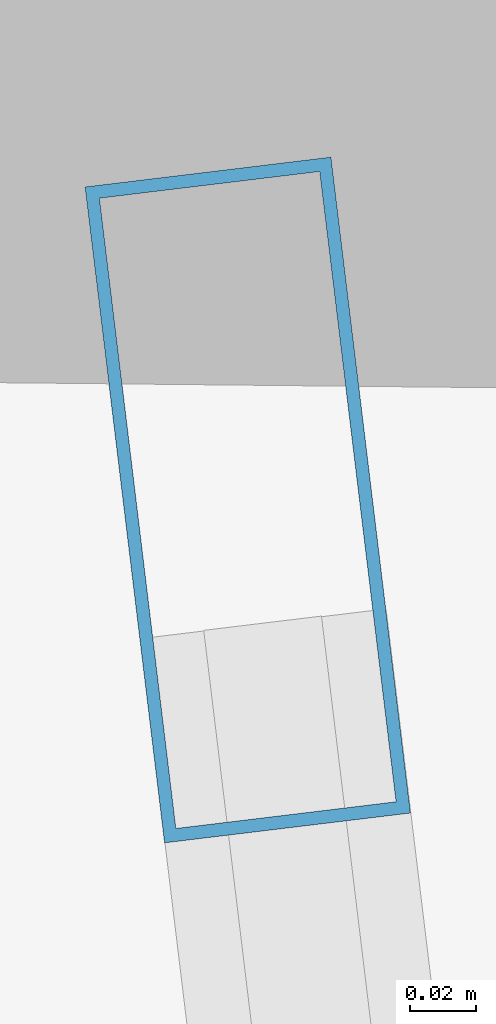
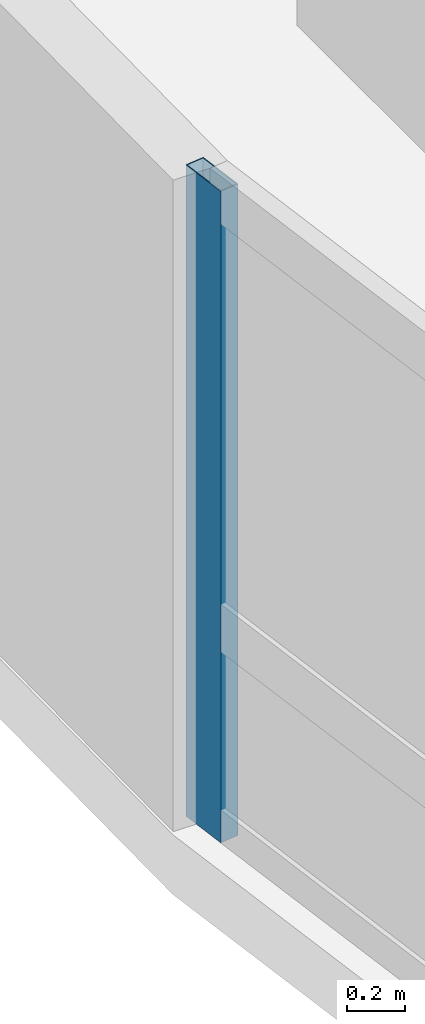
# One storey, part 8 of 24: 1 member, 1 element without a shape of its own.
"""IFC4 building model written with IfcOpenShell, lengths in metres."""

import ifcopenshell
import ifcopenshell.guid

model = None  # the IFC model being written
_history = None  # IfcOwnerHistory: only IFC2X3 demands one
_inside = {}  # id of a spatial element -> (the spatial element, [elements in it])
_under = {}  # id of a project, library or spatial element -> (it, [spatial elements below it])
_declared = {}  # id of a project -> (the project, [libraries it declares])
_typed = {}  # id of a type object -> (the type object, [elements of that type])
_made_of = {}  # id of a material, layer set ... -> (it, [elements and type objects made of it])


def new_model(schema):
    """Start an empty IFC model of exactly this schema.

    Asked for "IFC4X3", IfcOpenShell would pick the latest addendum, in which some entities
    have other attributes; the version numbers below select the first issue.
    IFC2X3 requires an IfcOwnerHistory on every rooted entity: one is made here for all.
    """
    global model, _history
    if schema == "IFC4X3":
        model = ifcopenshell.file(schema_version=(4, 3, 0, 0))
    else:
        model = ifcopenshell.file(schema=schema)
    _inside.clear()
    _under.clear()
    _declared.clear()
    _typed.clear()
    _made_of.clear()
    _history = None
    if model.schema == "IFC2X3":
        org = make("IfcOrganization", Name="unknown")
        user = make(
            "IfcPersonAndOrganization",
            ThePerson=make("IfcPerson", FamilyName="unknown"),
            TheOrganization=org,
        )
        app = make(
            "IfcApplication",
            ApplicationDeveloper=org,
            Version="unknown",
            ApplicationFullName="unknown",
            ApplicationIdentifier="unknown",
        )
        _history = make(
            "IfcOwnerHistory",
            OwningUser=user,
            OwningApplication=app,
            ChangeAction="ADDED",
            CreationDate=0,
        )
    return model


def make(cls, **values):
    """One entity of the class cls with the attributes given. An attribute that is None is left unset."""
    return model.create_entity(
        cls, **{name: value for name, value in values.items() if value is not None}
    )


def rooted(cls, **values):
    """An entity with a GlobalId (a new one), such as an element, a storey or a relation."""
    return make(cls, GlobalId=ifcopenshell.guid.new(), OwnerHistory=_history, **values)


def si_unit(unit_type, name, prefix=None):
    """IfcSIUnit, for example si_unit("LENGTHUNIT", "METRE", prefix="MILLI")."""
    return make("IfcSIUnit", UnitType=unit_type, Prefix=prefix, Name=name)


def assignment(units):
    """IfcUnitAssignment: the units of a project."""
    return None if units is None else make("IfcUnitAssignment", Units=units)


def point(xyz):
    """IfcCartesianPoint."""
    return None if xyz is None else make("IfcCartesianPoint", Coordinates=xyz)


def direction(xyz):
    """IfcDirection."""
    return None if xyz is None else make("IfcDirection", DirectionRatios=xyz)


def frame(location, z_axis=None, x_axis=None):
    """IfcAxis2Placement3D, a coordinate frame: its origin and axes. An axis left out is left unset."""
    return make(
        "IfcAxis2Placement3D",
        Location=point(location),
        Axis=direction(z_axis),
        RefDirection=direction(x_axis),
    )


def frame_2d(location, x_axis=None):
    """IfcAxis2Placement2D, a coordinate frame in the plane: its origin and x axis."""
    return make(
        "IfcAxis2Placement2D", Location=point(location), RefDirection=direction(x_axis)
    )


def origin():
    """The frame at (0, 0, 0) with its axes left unset."""
    return frame((0.0, 0.0, 0.0))


def origin_2d():
    """The frame at (0, 0) in the plane with its x axis left unset."""
    return frame_2d((0.0, 0.0))


def place(relative_to, where):
    """IfcLocalPlacement: puts the frame where relative to a parent placement (None: the world)."""
    return make(
        "IfcLocalPlacement", PlacementRelTo=relative_to, RelativePlacement=where
    )


def context(
    kind, dimensions, precision=None, world=None, true_north=None, identifier=None
):
    """IfcGeometricRepresentationContext, for example the 3D "Model" context."""
    return make(
        "IfcGeometricRepresentationContext",
        ContextIdentifier=identifier,
        ContextType=kind,
        CoordinateSpaceDimension=dimensions,
        Precision=precision,
        WorldCoordinateSystem=world,
        TrueNorth=true_north,
    )


def subcontext(parent, identifier, kind, view, scale=None):
    """IfcGeometricRepresentationSubContext, for example "Body" below "Model"."""
    return make(
        "IfcGeometricRepresentationSubContext",
        ContextIdentifier=identifier,
        ContextType=kind,
        ParentContext=parent,
        TargetScale=scale,
        TargetView=view,
    )


def project(units=None, contexts=None):
    """IfcProject with its units and contexts."""
    return rooted(
        "IfcProject",
        Name="project",
        RepresentationContexts=contexts,
        UnitsInContext=assignment(units),
    )


def spatial(cls, under=None, at=None, **own):
    """A site, building, storey or space (cls), placed at a placement, below another one or the project."""
    s = rooted(cls, ObjectPlacement=at, **own)
    if under is not None:
        _under.setdefault(under.id(), (under, []))[1].append(s)
    return s


def profile(cls, at=None, kind="AREA", **sizes):
    """A parametric profile (cls). Its sizes go by their IFC names, for example OverallWidth=200.0."""
    return make(cls, ProfileType=kind, Position=at, **sizes)


def hollow_rectangle(**sizes):
    """IfcRectangleHollowProfileDef."""
    return profile("IfcRectangleHollowProfileDef", **sizes)


def extrude(swept, where, along, depth):
    """IfcExtrudedAreaSolid: the profile swept, set in the frame where, extruded along a direction by depth."""
    return make(
        "IfcExtrudedAreaSolid",
        SweptArea=swept,
        Position=where,
        ExtrudedDirection=direction(along),
        Depth=depth,
    )


def shape(context_of_items, identifier, shape_type, items):
    """IfcShapeRepresentation: the items that make up one representation, for example the "Body"."""
    return make(
        "IfcShapeRepresentation",
        ContextOfItems=context_of_items,
        RepresentationIdentifier=identifier,
        RepresentationType=shape_type,
        Items=items,
    )


def material(Name=None, Category=None):
    """IfcMaterial."""
    return make("IfcMaterial", Name=Name, Category=Category)


def layer(
    of_material, thickness, ventilated=None, Name=None, Category=None, Priority=None
):
    """IfcMaterialLayer: one layer of a wall or slab, of a material (None: an air gap)."""
    return make(
        "IfcMaterialLayer",
        Material=of_material,
        LayerThickness=thickness,
        IsVentilated=ventilated,
        Name=Name,
        Category=Category,
        Priority=Priority,
    )


def layer_set(layers, Name=None):
    """IfcMaterialLayerSet."""
    return make("IfcMaterialLayerSet", MaterialLayers=layers, LayerSetName=Name)


def material_profile(
    of_material, cross_section, Name=None, Category=None, Priority=None
):
    """IfcMaterialProfile: a cross section and its material."""
    return make(
        "IfcMaterialProfile",
        Name=Name,
        Material=of_material,
        Profile=cross_section,
        Priority=Priority,
        Category=Category,
    )


def profile_set(profiles, Name=None, composite=None):
    """IfcMaterialProfileSet."""
    return make(
        "IfcMaterialProfileSet",
        Name=Name,
        MaterialProfiles=profiles,
        CompositeProfile=composite,
    )


def made_of(thing, what):
    """Note that an element or type object is made of a material, layer set ...; save() writes the relation."""
    if what is not None:
        _made_of.setdefault(what.id(), (what, []))[1].append(thing)
    return thing


def type_object(cls, material=None, **own):
    """A type object (cls), such as IfcWallType, which elements share."""
    return made_of(rooted(cls, **own), material)


def element(
    cls,
    number,
    at=None,
    inside=None,
    cuts=None,
    type_object=None,
    material=None,
    context=None,
    identifier="Body",
    shape_type=None,
    held_by="IfcProductDefinitionShape",
    body=None,
    shapes=None,
    **own,
):
    """One element of the class cls, such as IfcWall. Its Tag is "e" and its number.

    at: its placement. inside: the storey or other place that contains it. cuts: it is an
    opening in that element (IfcRelVoidsElement). A single representation is given by context,
    identifier, shape_type and body (its items); several are given by shapes. held_by: the class
    of the entity that holds the representations. save() writes the other relations.
    """
    e = rooted(cls, Tag="e%d" % number, ObjectPlacement=at, **own)
    if body is not None:
        shapes = [shape(context, identifier, shape_type, body)]
    if shapes is not None:
        e.Representation = make(held_by, Representations=shapes)
    if inside is not None:
        _inside.setdefault(inside.id(), (inside, []))[1].append(e)
    if cuts is not None:
        rooted(
            "IfcRelVoidsElement", RelatingBuildingElement=cuts, RelatedOpeningElement=e
        )
    if type_object is not None:
        _typed.setdefault(type_object.id(), (type_object, []))[1].append(e)
    return made_of(e, material)


def aggregate(whole, parts):
    """IfcRelAggregates: a whole, such as a stair, and the parts it consists of."""
    return rooted("IfcRelAggregates", RelatingObject=whole, RelatedObjects=parts)


def save(model, path):
    """Write the relations noted so far, then the file.

    IfcRelAggregates (storeys below a building ...), IfcRelContainedInSpatialStructure (elements
    in a storey), IfcRelDefinesByType, IfcRelAssociatesMaterial and IfcRelDeclares: one each for
    every whole, place, type object, material and project.
    """
    for whole, parts in _under.values():
        aggregate(whole, parts)
    for where, things in _inside.values():
        rooted(
            "IfcRelContainedInSpatialStructure",
            RelatedElements=things,
            RelatingStructure=where,
        )
    for kind, things in _typed.values():
        rooted("IfcRelDefinesByType", RelatedObjects=things, RelatingType=kind)
    for what, things in _made_of.values():
        rooted("IfcRelAssociatesMaterial", RelatedObjects=things, RelatingMaterial=what)
    for by, libraries in _declared.values():
        rooted("IfcRelDeclares", RelatingContext=by, RelatedDefinitions=libraries)
    model.write(path)


model = new_model("IFC4")

# Units and contexts
model_context = context("Model", 3, precision=1e-05, world=origin(), true_north=direction((0.0, 1.0)))
body_context = subcontext(model_context, "Body", "Model", "MODEL_VIEW")
ifc_project = project(units=[si_unit("LENGTHUNIT", "METRE"), si_unit("AREAUNIT", "SQUARE_METRE"), si_unit("VOLUMEUNIT", "CUBIC_METRE"), si_unit("PLANEANGLEUNIT", "RADIAN"), si_unit("MASSUNIT", "GRAM", prefix="KILO")], contexts=[model_context])

# Site, building, storey
site_placement = place(None, origin())
site = spatial("IfcSite", under=ifc_project, at=site_placement, CompositionType="ELEMENT")
building_placement = place(site_placement, origin())
building = spatial("IfcBuilding", under=site, at=building_placement, Name="Varnelok Gate Tower", CompositionType="ELEMENT")
storey_placement = place(building_placement, frame((0.0, 0.0, 196.800048828125)))
storey = spatial("IfcBuildingStorey", under=building, at=storey_placement, Name="L50", CompositionType="ELEMENT", Elevation=196.800048828125)

# Curtain wall, member
ifc_material = material(Name="Anodized Aluminum Alloy 6063-T6", Category="aluminium")
ifc_layer = layer(ifc_material, 0.179931640625)
ifc_layer_set = layer_set([ifc_layer], Name="Anodized Aluminum Alloy 6063-T6")
curtain_wall_type = type_object("IfcCurtainWallType", Name="CW4-RESIDENCE-VISION", PredefinedType="USERDEFINED", material=ifc_layer_set)
curtain_wall_placement = place(storey_placement, origin())
curtain_wall = element("IfcCurtainWall", 1, at=curtain_wall_placement, inside=storey, type_object=curtain_wall_type, Name="L50 West End Vision Curtain Wall", ObjectType="UNITISED CURTAIN WALL", PredefinedType="USERDEFINED")
ifc_material_profile = material_profile(ifc_material, hollow_rectangle(XDim=0.074951171875, YDim=0.199951171875, WallThickness=0.00390625, at=origin_2d()), Name="ALU200X75X4")
ifc_profile_set = profile_set([ifc_material_profile], Name="Anodized Aluminum Alloy 6063-T6")
member_type = type_object("IfcMemberType", Name="CW-MULL-200", PredefinedType="MULLION", material=ifc_profile_set)
member_placement = place(storey_placement, frame((2.290283203125, 37.610107421875, 0.0), z_axis=(0.0, 0.0, 1.0), x_axis=(-0.992732188751, -0.120344511371, 0.0)))
member = element("IfcMember", 2, at=member_placement, type_object=member_type, Name="CW4 mullion 6", PredefinedType="MULLION", context=body_context, shape_type="SweptSolid", body=[
    extrude(hollow_rectangle(XDim=0.074951171875, YDim=0.199951171875, WallThickness=0.00390625, at=origin_2d()), origin(), (0.0, 0.0, 1.0), 2.72998046875),
])
aggregate(curtain_wall, [member])

save(model, "model.ifc")
